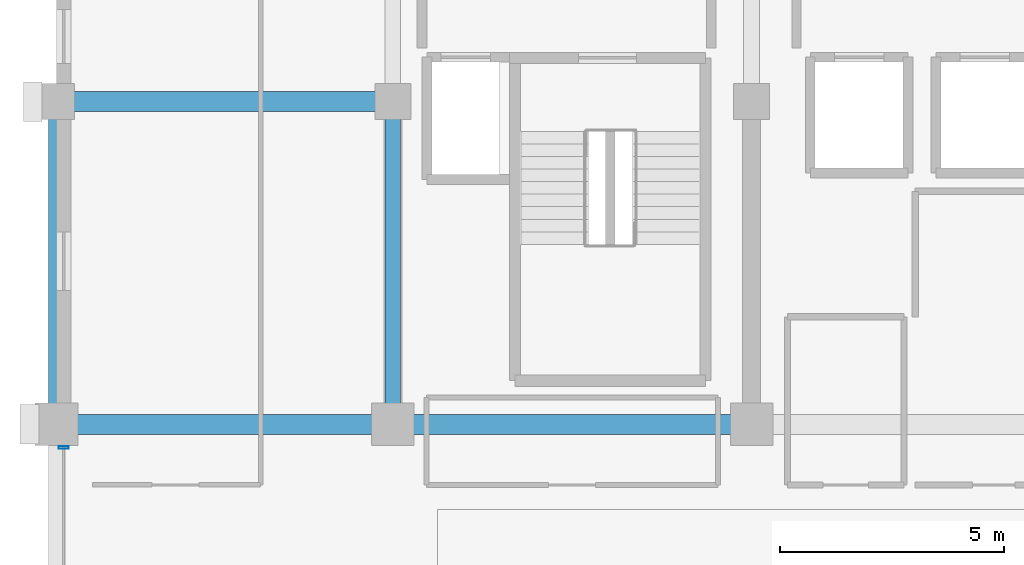
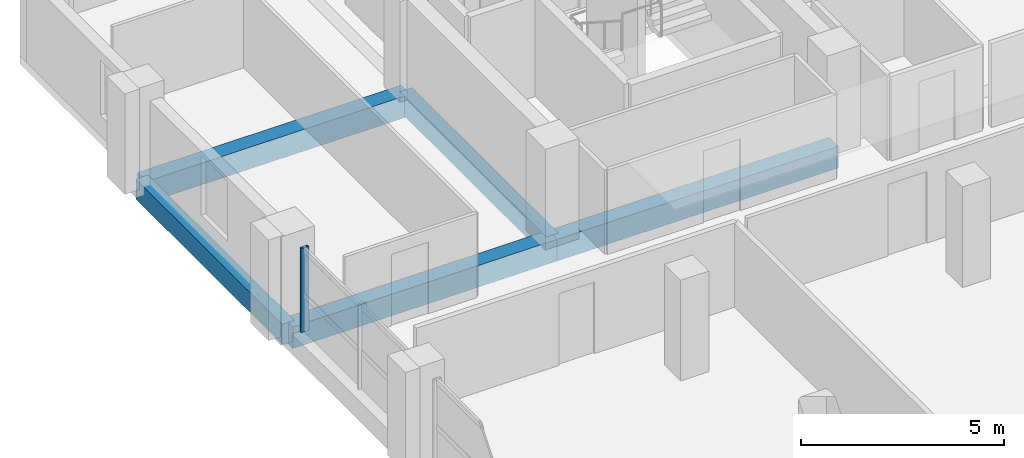
# One storey, part 11 of 23: 5 beams, 1 member, 1 element without a shape of its own.
"""IFC4 building model written with IfcOpenShell, lengths in metres."""

from ifc_helpers import new_model, si_unit, direction, frame, origin, origin_2d, place, context, subcontext, project, spatial, rectangle, hollow_rectangle, extrude, material, material_profile, profile_set, type_object, element, aggregate, save


model = new_model("IFC4")

# Units and contexts
model_context = context("Model", 3, precision=1e-05, world=origin(), true_north=direction((0.0, 1.0)))
body_context = subcontext(model_context, "Body", "Model", "MODEL_VIEW")
ifc_project = project(units=[si_unit("LENGTHUNIT", "METRE"), si_unit("AREAUNIT", "SQUARE_METRE"), si_unit("VOLUMEUNIT", "CUBIC_METRE"), si_unit("PLANEANGLEUNIT", "RADIAN"), si_unit("MASSUNIT", "GRAM", prefix="KILO")], contexts=[model_context])

# Site, building, storey
site_placement = place(None, origin())
site = spatial("IfcSite", under=ifc_project, at=site_placement, CompositionType="ELEMENT")
building_placement = place(site_placement, origin())
building = spatial("IfcBuilding", under=site, at=building_placement, Name="Akrevak Sports Hall", CompositionType="ELEMENT")
storey_placement = place(building_placement, frame((0.0, 0.0, 43.800048828125)))
storey = spatial("IfcBuildingStorey", under=building, at=storey_placement, Name="L10", CompositionType="ELEMENT", Elevation=43.800048828125)

# Curtain wall, member
ifc_material_1 = material(Name="Anodized Bronze Aluminium & Low-E Glass", Category="aluminium")
curtain_wall_type = type_object("IfcCurtainWallType", Name="ARC-CW-TWR-64x30", PredefinedType="NOTDEFINED", material=ifc_material_1)
curtain_wall_placement = place(storey_placement, origin())
curtain_wall = element("IfcCurtainWall", 1, at=curtain_wall_placement, inside=storey, type_object=curtain_wall_type, Name="Curtain Wall CW-L10-W30", PredefinedType="NOTDEFINED")
ifc_material_2 = material(Name="Anodized Bronze Aluminium", Category="aluminium")
ifc_material_profile_1 = material_profile(ifc_material_2, hollow_rectangle(XDim=0.06494140625, YDim=0.219970703125, WallThickness=0.00439453125, at=origin_2d()), Name="CWM 65x220", Category="aluminium")
ifc_profile_set_1 = profile_set([ifc_material_profile_1], Name="Anodized Bronze Aluminium")
member_type = type_object("IfcMemberType", Name="ARC-CWM-70x160", PredefinedType="MULLION", material=ifc_profile_set_1)
member_placement = place(storey_placement, frame((52.659912109375, 54.68505859375, 0.0), z_axis=(0.0, 0.0, 1.0), x_axis=(0.0, -1.0, 0.0)))
member = element("IfcMember", 2, at=member_placement, type_object=member_type, Name="Curtain Wall Mullion CW-L10-W30-M1", PredefinedType="MULLION", context=body_context, shape_type="SweptSolid", body=[
    extrude(hollow_rectangle(XDim=0.06494140625, YDim=0.219970703125, WallThickness=0.00439453125, at=origin_2d()), origin(), (0.0, 0.0, 1.0), 2.530029296875),
])
aggregate(curtain_wall, [member])

# Beams
ifc_material_3 = material(Name="Concrete C40/50", Category="concrete")
ifc_material_profile_2 = material_profile(ifc_material_3, rectangle(XDim=0.35009765625, YDim=0.60009765625, at=origin_2d()), Name="BM 350x600", Category="concrete")
ifc_profile_set_2 = profile_set([ifc_material_profile_2], Name="Concrete C40/50")
beam_type_1 = type_object("IfcBeamType", Name="STR-BM-RC350x600", PredefinedType="BEAM", material=ifc_profile_set_2)
for number, where, z_axis, x_axis, name in (
    (3, (52.5, 55.199951171875, -0.300048828125), (0.0, 1.0, 0.0), (-1.0, 0.0, 0.0), "Girder 8/I-J (L10)"),
    (4, (60.0, 55.199951171875, -0.300048828125), (0.0, 1.0, 0.0), (-1.0, 0.0, 0.0), "Girder 9/I-J (L10)"),
):
    element("IfcBeam", number, at=place(storey_placement, frame(where, z_axis=z_axis, x_axis=x_axis)), inside=storey, type_object=beam_type_1, Name=name, PredefinedType="BEAM", context=body_context, shape_type="SweptSolid", body=[
        extrude(rectangle(XDim=0.35009765625, YDim=0.60009765625, at=origin_2d()), origin(), (0.0, 0.0, 1.0), 7.199951171875),
    ])
ifc_material_profile_3 = material_profile(ifc_material_3, rectangle(XDim=0.449951171875, YDim=0.64990234375, at=origin_2d()), Name="BM 450x650", Category="concrete")
ifc_profile_set_3 = profile_set([ifc_material_profile_3], Name="Concrete C40/50")
beam_type_2 = type_object("IfcBeamType", Name="STR-BM-RC450x650", PredefinedType="BEAM", material=ifc_profile_set_3)
beam_1_placement = place(storey_placement, frame((52.5, 55.199951171875, -0.324951171875), z_axis=(1.0, 0.0, 0.0), x_axis=(0.0, 1.0, 0.0)))
element("IfcBeam", 5, at=beam_1_placement, inside=storey, type_object=beam_type_2, Name="Girder I/8-9 (L10)", PredefinedType="BEAM", context=body_context, shape_type="SweptSolid", body=[
    extrude(rectangle(XDim=0.449951171875, YDim=0.64990234375, at=origin_2d()), origin(), (0.0, 0.0, 1.0), 7.5),
])
beam_2_placement = place(storey_placement, frame((60.0, 55.199951171875, -0.324951171875), z_axis=(1.0, 0.0, 0.0), x_axis=(0.0, 1.0, 0.0)))
element("IfcBeam", 6, at=beam_2_placement, inside=storey, type_object=beam_type_2, Name="Girder I/9-10 (L10)", PredefinedType="BEAM", context=body_context, shape_type="SweptSolid", body=[
    extrude(rectangle(XDim=0.449951171875, YDim=0.64990234375, at=origin_2d()), origin(), (0.0, 0.0, 1.0), 8.0),
])
beam_3_placement = place(storey_placement, frame((52.5, 62.39990234375, -0.324951171875), z_axis=(1.0, 0.0, 0.0), x_axis=(0.0, 1.0, 0.0)))
element("IfcBeam", 7, at=beam_3_placement, inside=storey, type_object=beam_type_2, Name="Girder J/8-9 (L10)", PredefinedType="BEAM", context=body_context, shape_type="SweptSolid", body=[
    extrude(rectangle(XDim=0.449951171875, YDim=0.64990234375, at=origin_2d()), origin(), (0.0, 0.0, 1.0), 7.5),
])

save(model, "model.ifc")
